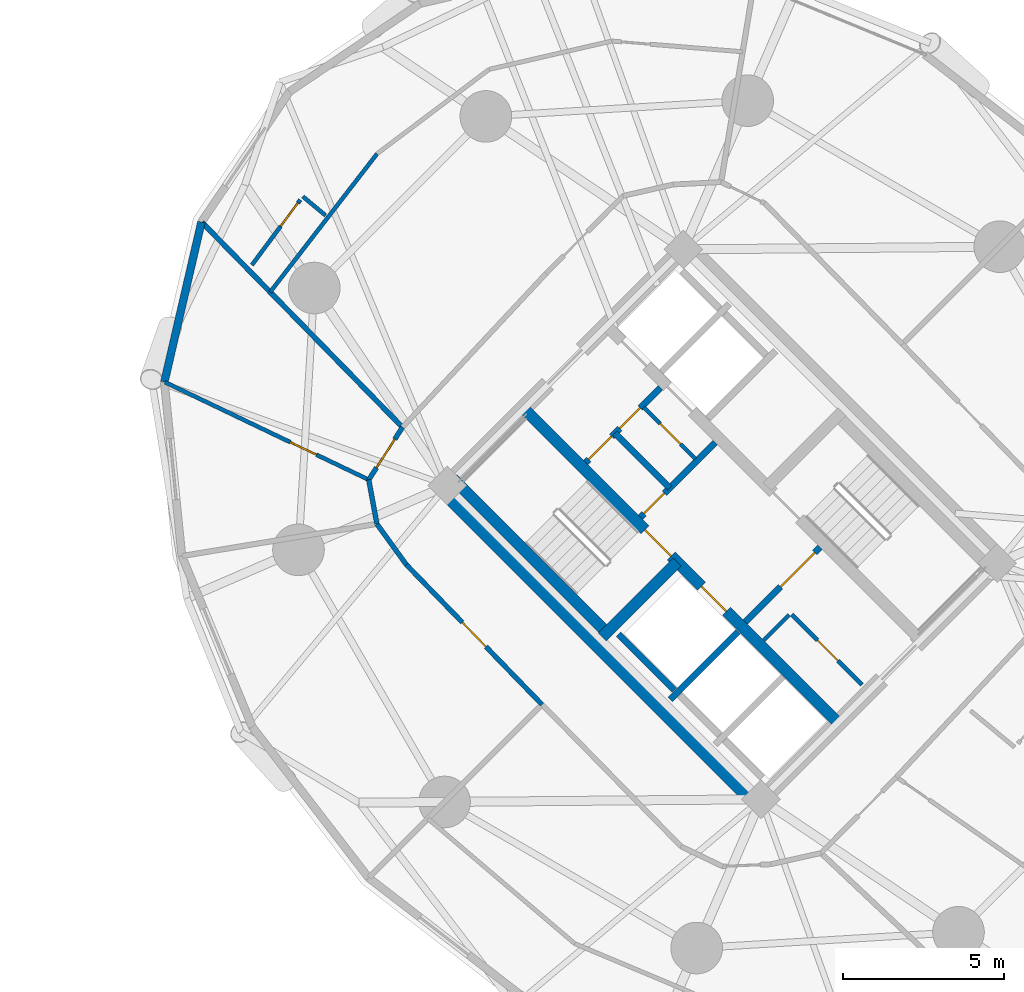
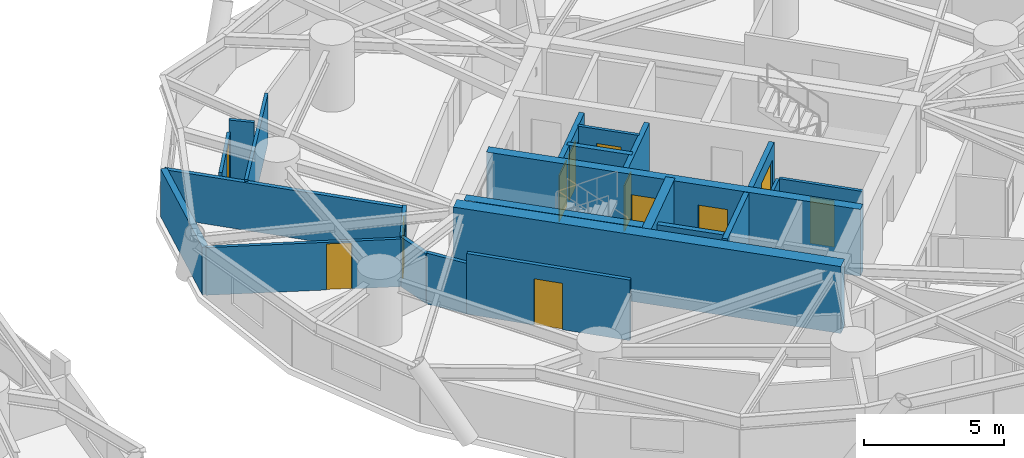
# One storey, part 13 of 18: 23 walls, 12 doors, 12 openings.
"""IFC4 building model written with IfcOpenShell, lengths in metres."""

from ifc_helpers import new_model, si_unit, direction, frame, frame_2d, origin, place, context, subcontext, project, spatial, rectangle, extrude, source, transform, mapped, material, layer, layer_set, type_object, element, fill, save


model = new_model("IFC4")

# Units and contexts
model_context = context("Model", 3, precision=1e-05, world=origin(), true_north=direction((0.0, 1.0)))
body_context = subcontext(model_context, "Body", "Model", "MODEL_VIEW")
ifc_project = project(units=[si_unit("LENGTHUNIT", "METRE"), si_unit("AREAUNIT", "SQUARE_METRE"), si_unit("VOLUMEUNIT", "CUBIC_METRE"), si_unit("PLANEANGLEUNIT", "RADIAN"), si_unit("MASSUNIT", "GRAM", prefix="KILO")], contexts=[model_context])

# Site, building, storey
site_placement = place(None, origin())
site = spatial("IfcSite", under=ifc_project, at=site_placement, CompositionType="ELEMENT")
building_placement = place(site_placement, origin())
building = spatial("IfcBuilding", under=site, at=building_placement, Name="Cununo Teusaquillo Station Towers", CompositionType="ELEMENT")
storey_placement = place(building_placement, frame((0.0, 0.0, 45.280029296875)))
storey = spatial("IfcBuildingStorey", under=building, at=storey_placement, Name="L13", CompositionType="ELEMENT", Elevation=45.280029296875)

# Walls
ifc_material_1 = material(Name="Concrete C50/60", Category="concrete")
ifc_layer_1 = layer(ifc_material_1, 0.199951171875)
ifc_layer_set_1 = layer_set([ifc_layer_1], Name="Concrete C50/60")
wall_type_1 = type_object("IfcWallType", Name="WL-CORE-200", PredefinedType="SHEAR", material=ifc_layer_set_1)
wall_1_placement = place(storey_placement, frame((55.8876953125, 19.0693359375, 0.0), z_axis=(0.0, 0.0, 1.0), x_axis=(0.707106781187, 0.707106781187, 0.0)))
element("IfcWall", 1, at=wall_1_placement, inside=storey, type_object=wall_type_1, Name="L13 Tower B Firefighting Lift Shaft South Shear Wall", PredefinedType="SHEAR", context=body_context, shape_type="SweptSolid", body=[
    extrude(rectangle(XDim=2.969970703125, YDim=0.199951171875, at=frame_2d((1.48486328125, 0.0))), origin(), (0.0, 0.0, 1.0), 2.909912109375),
])
wall_2_placement = place(storey_placement, frame((56.01513671875, 19.366455078125, 0.0), z_axis=(0.0, 0.0, 1.0), x_axis=(-0.707106781187, 0.707106781187, 0.0)))
element("IfcWall", 2, at=wall_2_placement, inside=storey, type_object=wall_type_1, Name="L13 Tower B Firefighting Lift Shaft Rear Shear Wall", PredefinedType="SHEAR", context=body_context, shape_type="SweptSolid", body=[
    extrude(rectangle(XDim=2.43994140625, YDim=0.199951171875, at=frame_2d((1.219970703125, 0.0))), origin(), (0.0, 0.0, 1.0), 2.909912109375),
])

# Wall, openings, doors
ifc_material_2 = material(Name="Concrete C50/60", Category="concrete")
ifc_layer_2 = layer(ifc_material_2, 0.35009765625)
ifc_layer_set_2 = layer_set([ifc_layer_2], Name="Concrete C50/60")
wall_type_2 = type_object("IfcWallType", Name="WL-CORE-350", PredefinedType="SHEAR", material=ifc_layer_set_2)
wall_3_placement = place(storey_placement, frame((61.095703125, 18.337646484375, 0.0), z_axis=(0.0, 0.0, 1.0), x_axis=(-0.707106781187, 0.707106781187, 0.0)))
wall_3 = element("IfcWall", 3, at=wall_3_placement, inside=storey, type_object=wall_type_2, Name="L13 Tower B Core Shear Wall IW", PredefinedType="SHEAR", context=body_context, shape_type="SweptSolid", body=[
    extrude(rectangle(XDim=13.800048828125, YDim=0.35009765625, at=frame_2d((6.89990234375, 0.0))), origin(), (0.0, 0.0, 1.0), 2.909912109375),
])
shared_shape_1 = source(origin(), body_context, "Body", "SweptSolid", [
    extrude(rectangle(XDim=1.10009765625, YDim=2.014892578125, at=frame_2d((0.550048828125, 1.00732421875))), frame((0.0, 0.18505859375, 0.0), z_axis=(0.0, -1.0, 0.0), x_axis=(1.0, 0.0, 0.0)), (0.0, 0.0, 1.0), 0.3701171875),
])
opening_1_placement = place(wall_3_placement, frame((4.89990234375, 0.0, 0.0)))
opening_1 = element("IfcOpeningElement", 4, at=opening_1_placement, cuts=wall_3, Name="Opening LD-01", PredefinedType="OPENING", context=body_context, shape_type="MappedRepresentation", body=[
    mapped(shared_shape_1, transform((0.0, 0.0, 0.0), x_axis=(1.0, 0.0, 0.0), y_axis=(0.0, 1.0, 0.0), z_axis=(0.0, 0.0, 1.0), scale=1.0)),
])
shared_shape_2 = source(origin(), body_context, "Body", "SweptSolid", [
    extrude(rectangle(XDim=1.14990234375, YDim=2.02001953125, at=frame_2d((0.574951171875, 1.010009765625))), frame((0.0, 0.18505859375, 0.0), z_axis=(0.0, -1.0, 0.0), x_axis=(1.0, 0.0, 0.0)), (0.0, 0.0, 1.0), 0.3701171875),
])
opening_2_placement = place(wall_3_placement, frame((7.320068359375, 0.0, 0.0)))
opening_2 = element("IfcOpeningElement", 5, at=opening_2_placement, cuts=wall_3, Name="Opening D-ST1", PredefinedType="OPENING", context=body_context, shape_type="MappedRepresentation", body=[
    mapped(shared_shape_2, transform((0.0, 0.0, 0.0), x_axis=(1.0, 0.0, 0.0), y_axis=(0.0, 1.0, 0.0), z_axis=(0.0, 0.0, 1.0), scale=1.0)),
])
ifc_material_3 = material(Name="Galvanised fire-rated hollow steel door assembly", Category="steel")
door_type_1 = type_object("IfcDoorType", Name="DR-LIFT-1100", OperationType="SLIDING_TO_LEFT", PredefinedType="DOOR", material=ifc_material_3)
shared_shape_3 = source(origin(), body_context, "Body", "SweptSolid", [
    extrude(rectangle(XDim=1.10009765625, YDim=2.014892578125, at=frame_2d((0.550048828125, 1.00732421875))), frame((0.0, 0.02490234375, 0.0), z_axis=(0.0, -1.0, 0.0), x_axis=(1.0, 0.0, 0.0)), (0.0, 0.0, 1.0), 0.050048828125),
])
door_1_placement = place(opening_1_placement, origin())
door_1 = element("IfcDoor", 6, at=door_1_placement, inside=storey, type_object=door_type_1, Name="L13 Lift FL-T2 Sliding Landing Door", OperationType="SLIDING_TO_LEFT", OverallHeight=2.014892578125, OverallWidth=1.10009765625, PredefinedType="DOOR", context=body_context, shape_type="MappedRepresentation", body=[
    mapped(shared_shape_3, transform((0.0, 0.0, 0.0), x_axis=(1.0, 0.0, 0.0), y_axis=(0.0, 1.0, 0.0), z_axis=(0.0, 0.0, 1.0), scale=1.0)),
])
fill(opening_1, door_1)
ifc_material_4 = material(Name="Galvanised fire-rated hollow steel door assembly", Category="steel")
door_type_2 = type_object("IfcDoorType", Name="DR-STAIR-1150", OperationType="NOTDEFINED", PredefinedType="DOOR", material=ifc_material_4)
shared_shape_4 = source(origin(), body_context, "Body", "SweptSolid", [
    extrude(rectangle(XDim=1.14990234375, YDim=2.02001953125, at=frame_2d((0.574951171875, 1.010009765625))), frame((0.0, 0.02490234375, 0.0), z_axis=(0.0, -1.0, 0.0), x_axis=(1.0, 0.0, 0.0)), (0.0, 0.0, 1.0), 0.050048828125),
])
door_2_placement = place(opening_2_placement, origin())
door_2 = element("IfcDoor", 7, at=door_2_placement, inside=storey, type_object=door_type_2, Name="L13 Tower B Exit Stair 1 Fire Door", OperationType="SINGLE_SWING_RIGHT", OverallHeight=2.02001953125, OverallWidth=1.14990234375, PredefinedType="DOOR", context=body_context, shape_type="MappedRepresentation", body=[
    mapped(shared_shape_4, transform((0.0, 0.0, 0.0), x_axis=(1.0, 0.0, 0.0), y_axis=(0.0, 1.0, 0.0), z_axis=(0.0, 0.0, 1.0), scale=1.0)),
])
fill(opening_2, door_2)

# Walls
wall_4_placement = place(storey_placement, frame((53.922119140625, 21.14111328125, 0.0), z_axis=(0.0, 0.0, 1.0), x_axis=(-0.707106781187, 0.707106781187, 0.0)))
element("IfcWall", 8, at=wall_4_placement, inside=storey, type_object=wall_type_2, Name="L13 Tower B Core Shear Wall ST1W", PredefinedType="SHEAR", context=body_context, shape_type="SweptSolid", body=[
    extrude(rectangle(XDim=6.7451171875, YDim=0.35009765625, at=frame_2d((3.37255859375, 0.0))), origin(), (0.0, 0.0, 1.0), 2.909912109375),
])
wall_5_placement = place(storey_placement, frame((53.7841796875, 21.00341796875, 0.0), z_axis=(0.0, 0.0, 1.0), x_axis=(0.707106781187, 0.707106781187, 0.0)))
element("IfcWall", 9, at=wall_5_placement, inside=storey, type_object=wall_type_2, Name="L13 Tower B Core Shear Wall ST1S", PredefinedType="SHEAR", context=body_context, shape_type="SweptSolid", body=[
    extrude(rectangle(XDim=3.284912109375, YDim=0.35009765625, at=frame_2d((1.642578125, 0.0))), origin(), (0.0, 0.0, 1.0), 2.909912109375),
])
ifc_material_5 = material(Name="Concrete C60/75", Category="concrete")
ifc_layer_3 = layer(ifc_material_5, 0.5)
ifc_layer_set_3 = layer_set([ifc_layer_3], Name="Concrete C60/75")
wall_type_3 = type_object("IfcWallType", Name="WL-CORE-500", PredefinedType="SHEAR", material=ifc_layer_set_3)
wall_6_placement = place(storey_placement, frame((58.772705078125, 15.6611328125, 0.0), z_axis=(0.0, 0.0, 1.0), x_axis=(-0.707106781187, 0.707106781187, 0.0)))
element("IfcWall", 10, at=wall_6_placement, inside=storey, type_object=wall_type_3, Name="L13 Tower B Core Shear Wall W", PredefinedType="SHEAR", context=body_context, shape_type="SweptSolid", body=[
    extrude(rectangle(XDim=14.2998046875, YDim=0.5, at=frame_2d((7.14990234375, 0.0))), origin(), (0.0, 0.0, 1.0), 2.909912109375),
])
ifc_material_6 = material(Name="Precast concrete C40/50", Category="concrete")
ifc_layer_4 = layer(ifc_material_6, 0.239990234375)
ifc_layer_set_4 = layer_set([ifc_layer_4], Name="Precast concrete C40/50")
wall_type_4 = type_object("IfcWallType", Name="WL-EXT-240", PredefinedType="SOLIDWALL", material=ifc_layer_set_4)
wall_7_placement = place(storey_placement, frame((40.2060546875, 28.91015625, 0.0), z_axis=(0.0, 0.0, 1.0), x_axis=(0.22582585901, 0.974167686491, 0.0)))
element("IfcWall", 11, at=wall_7_placement, inside=storey, type_object=wall_type_4, Name="L13 Tower B Exterior Facade Wall C06", PredefinedType="SOLIDWALL", context=body_context, shape_type="SweptSolid", body=[
    extrude(rectangle(XDim=5.092041015625, YDim=0.239990234375, at=frame_2d((2.5458984375, 0.0))), origin(), (0.0, 0.0, 1.0), 2.072998046875),
])

# Wall, opening, door
ifc_material_7 = material(Name="Fire-rated gypsum plasterboard partition assembly", Category="gypsum")
ifc_layer_5 = layer(ifc_material_7, 0.125)
ifc_layer_set_5 = layer_set([ifc_layer_5], Name="Fire-rated gypsum plasterboard partition assembly")
wall_type_5 = type_object("IfcWallType", Name="WL-PART-125", PredefinedType="PARTITIONING", material=ifc_layer_set_5)
wall_8_placement = place(storey_placement, frame((61.834716796875, 19.529052734375, 0.0), z_axis=(0.0, 0.0, 1.0), x_axis=(-0.707146413884, 0.707067146267, 0.0)))
wall_8 = element("IfcWall", 12, at=wall_8_placement, inside=storey, type_object=wall_type_5, Name="L13 Tower B South-West Tall Store East Wall", PredefinedType="PARTITIONING", context=body_context, shape_type="SweptSolid", body=[
    extrude(rectangle(XDim=3.079833984375, YDim=0.125, at=frame_2d((1.5400390625, 0.0))), origin(), (0.0, 0.0, 1.0), 2.635009765625),
])
shared_shape_5 = source(origin(), body_context, "Body", "SweptSolid", [
    extrude(rectangle(XDim=0.89990234375, YDim=2.0048828125, at=frame_2d((0.449951171875, 1.00244140625))), frame((0.0, 0.072509765625, 0.0), z_axis=(0.0, -1.0, 0.0), x_axis=(1.0, 0.0, 0.0)), (0.0, 0.0, 1.0), 0.14501953125),
])
opening_3_placement = place(wall_8_placement, frame((1.050048828125, 0.0, 0.0)))
opening_3 = element("IfcOpeningElement", 13, at=opening_3_placement, cuts=wall_8, Name="Opening D-SR1", PredefinedType="OPENING", context=body_context, shape_type="MappedRepresentation", body=[
    mapped(shared_shape_5, transform((0.0, 0.0, 0.0), x_axis=(1.0, 0.0, 0.0), y_axis=(0.0, 1.0, 0.0), z_axis=(0.0, 0.0, 1.0), scale=1.0)),
])
ifc_material_8 = material(Name="Galvanised fire-rated hollow steel door assembly", Category="steel")
door_type_3 = type_object("IfcDoorType", Name="DR-STORE-900", OperationType="NOTDEFINED", PredefinedType="DOOR", material=ifc_material_8)
shared_shape_6 = source(origin(), body_context, "Body", "SweptSolid", [
    extrude(rectangle(XDim=0.89990234375, YDim=2.0048828125, at=frame_2d((0.449951171875, 1.00244140625))), frame((0.0, 0.02490234375, 0.0), z_axis=(0.0, -1.0, 0.0), x_axis=(1.0, 0.0, 0.0)), (0.0, 0.0, 1.0), 0.050048828125),
])
door_3_placement = place(opening_3_placement, origin())
door_3 = element("IfcDoor", 14, at=door_3_placement, inside=storey, type_object=door_type_3, Name="L13 Tower B South Cleaners Store Door", OperationType="SINGLE_SWING_RIGHT", OverallHeight=2.0048828125, OverallWidth=0.89990234375, PredefinedType="DOOR", context=body_context, shape_type="MappedRepresentation", body=[
    mapped(shared_shape_6, transform((0.0, 0.0, 0.0), x_axis=(1.0, 0.0, 0.0), y_axis=(0.0, 1.0, 0.0), z_axis=(0.0, 0.0, 1.0), scale=1.0)),
])
fill(opening_3, door_3)

# Wall
wall_9_placement = place(storey_placement, frame((58.7939453125, 20.9150390625, 0.0), z_axis=(0.0, 0.0, 1.0), x_axis=(0.707106781187, 0.707106781187, 0.0)))
element("IfcWall", 15, at=wall_9_placement, inside=storey, type_object=wall_type_5, Name="L13 Tower B South-West Tall Store North Wall", PredefinedType="PARTITIONING", context=body_context, shape_type="SweptSolid", body=[
    extrude(rectangle(XDim=1.10009765625, YDim=0.125, at=frame_2d((0.550048828125, 0.0))), origin(), (0.0, 0.0, 1.0), 2.635009765625),
])

# Wall, opening, door
wall_10_placement = place(storey_placement, frame((56.672607421875, 26.529296875, 0.0), z_axis=(0.0, 0.0, 1.0), x_axis=(-0.707052764397, 0.70716079385, 0.0)))
wall_10 = element("IfcWall", 16, at=wall_10_placement, inside=storey, type_object=wall_type_5, Name="L13 Tower B Core Vertical Split Wall", PredefinedType="PARTITIONING", context=body_context, shape_type="SweptSolid", body=[
    extrude(rectangle(XDim=2.260009765625, YDim=0.125, at=frame_2d((1.1298828125, 0.0))), origin(), (0.0, 0.0, 1.0), 2.635009765625),
])
opening_4_placement = place(wall_10_placement, frame((0.64990234375, 0.0, 0.0)))
opening_4 = element("IfcOpeningElement", 17, at=opening_4_placement, cuts=wall_10, Name="Opening D-SR1", PredefinedType="OPENING", context=body_context, shape_type="MappedRepresentation", body=[
    mapped(shared_shape_5, transform((0.0, 0.0, 0.0), x_axis=(1.0, 0.0, 0.0), y_axis=(0.0, 1.0, 0.0), z_axis=(0.0, 0.0, 1.0), scale=1.0)),
])
door_4_placement = place(opening_4_placement, origin())
door_4 = element("IfcDoor", 18, at=door_4_placement, inside=storey, type_object=door_type_3, Name="L13 Tower B Core Electrical Room Door", OperationType="SINGLE_SWING_RIGHT", OverallHeight=2.0048828125, OverallWidth=0.89990234375, PredefinedType="DOOR", context=body_context, shape_type="MappedRepresentation", body=[
    mapped(shared_shape_6, transform((0.0, 0.0, 0.0), x_axis=(1.0, 0.0, 0.0), y_axis=(0.0, 1.0, 0.0), z_axis=(0.0, 0.0, 1.0), scale=1.0)),
])
fill(opening_4, door_4)

# Walls
wall_11_placement = place(storey_placement, frame((46.801025390625, 35.989013671875, 0.0), z_axis=(0.0, 0.0, 1.0), x_axis=(-0.611635984749, -0.791139319058, 0.0)))
element("IfcWall", 19, at=wall_11_placement, inside=storey, type_object=wall_type_5, Name="L13 Tower B Royal Corner Hotel Suite Concentric Partition Wall C05", PredefinedType="PARTITIONING", context=body_context, shape_type="SweptSolid", body=[
    extrude(rectangle(XDim=5.418701171875, YDim=0.125, at=frame_2d((2.70947265625, 0.0))), origin(), (0.0, 0.0, 1.0), 2.158935546875),
])
wall_12_placement = place(storey_placement, frame((45.20361328125, 34.077880859375, 0.0), z_axis=(0.0, 0.0, 1.0), x_axis=(-0.768330339969, 0.640053504547, 0.0)))
element("IfcWall", 20, at=wall_12_placement, inside=storey, type_object=wall_type_5, Name="L13 Tower B S01 En-suite Side Wall", PredefinedType="PARTITIONING", context=body_context, shape_type="SweptSolid", body=[
    extrude(rectangle(XDim=0.917236328125, YDim=0.125, at=frame_2d((0.45849609375, 0.0))), origin(), (0.0, 0.0, 1.0), 2.635009765625),
])

# Wall, opening, door
wall_13_placement = place(storey_placement, frame((44.420654296875, 34.559814453125, 0.0), z_axis=(0.0, 0.0, 1.0), x_axis=(-0.596454407051, -0.802646958699, 0.0)))
wall_13 = element("IfcWall", 21, at=wall_13_placement, inside=storey, type_object=wall_type_5, Name="L13 Tower B S01 En-suite Back Wall", PredefinedType="PARTITIONING", context=body_context, shape_type="SweptSolid", body=[
    extrude(rectangle(XDim=2.51611328125, YDim=0.125, at=frame_2d((1.258056640625, 0.0))), origin(), (0.0, 0.0, 1.0), 2.158935546875),
])
opening_5_placement = place(wall_13_placement, frame((0.1201171875, 0.0, 0.0)))
opening_5 = element("IfcOpeningElement", 22, at=opening_5_placement, cuts=wall_13, Name="Opening D-IN1", PredefinedType="OPENING", context=body_context, shape_type="MappedRepresentation", body=[
    mapped(shared_shape_5, transform((0.0, 0.0, 0.0), x_axis=(1.0, 0.0, 0.0), y_axis=(0.0, 1.0, 0.0), z_axis=(0.0, 0.0, 1.0), scale=1.0)),
])
ifc_material_9 = material(Name="Acoustic solid-core hardwood leaf assembly", Category="wood")
door_type_4 = type_object("IfcDoorType", Name="DR-INT-900", OperationType="NOTDEFINED", PredefinedType="DOOR", material=ifc_material_9)
door_5_placement = place(opening_5_placement, origin())
door_5 = element("IfcDoor", 23, at=door_5_placement, inside=storey, type_object=door_type_4, Name="L13 Tower B S01 En-suite Bathroom Door", OperationType="SINGLE_SWING_LEFT", OverallHeight=2.0048828125, OverallWidth=0.89990234375, PredefinedType="DOOR", context=body_context, shape_type="MappedRepresentation", body=[
    mapped(shared_shape_6, transform((0.0, 0.0, 0.0), x_axis=(1.0, 0.0, 0.0), y_axis=(0.0, 1.0, 0.0), z_axis=(0.0, 0.0, 1.0), scale=1.0)),
])
fill(opening_5, door_5)

wall_14_placement = place(storey_placement, frame((46.543212890625, 25.882080078125, 0.0), z_axis=(0.0, 0.0, 1.0), x_axis=(-0.901937110034, 0.431867398103, 0.0)))
wall_14 = element("IfcWall", 24, at=wall_14_placement, inside=storey, type_object=wall_type_5, Name="L13 Tower B Hotel Boardroom Salon Suite Subdividing Wall", PredefinedType="PARTITIONING", context=body_context, shape_type="SweptSolid", body=[
    extrude(rectangle(XDim=7.004150390625, YDim=0.125, at=frame_2d((3.501953125, 0.0))), origin(), (0.0, 0.0, 1.0), 2.072998046875),
])
opening_6_placement = place(wall_14_placement, frame((1.800048828125, 0.0, 0.0)))
opening_6 = element("IfcOpeningElement", 25, at=opening_6_placement, cuts=wall_14, Name="Opening D-IN1", PredefinedType="OPENING", context=body_context, shape_type="MappedRepresentation", body=[
    mapped(shared_shape_5, transform((0.0, 0.0, 0.0), x_axis=(1.0, 0.0, 0.0), y_axis=(0.0, 1.0, 0.0), z_axis=(0.0, 0.0, 1.0), scale=1.0)),
])
door_6_placement = place(opening_6_placement, origin())
door_6 = element("IfcDoor", 26, at=door_6_placement, inside=storey, type_object=door_type_4, Name="L13 Tower B Hotel Boardroom Salon Suite Connecting Door", OperationType="SINGLE_SWING_LEFT", OverallHeight=2.0048828125, OverallWidth=0.89990234375, PredefinedType="DOOR", context=body_context, shape_type="MappedRepresentation", body=[
    mapped(shared_shape_6, transform((0.0, 0.0, 0.0), x_axis=(1.0, 0.0, 0.0), y_axis=(0.0, 1.0, 0.0), z_axis=(0.0, 0.0, 1.0), scale=1.0)),
])
fill(opening_6, door_6)

ifc_material_10 = material(Name="Fire-rated gypsum plasterboard partition assembly", Category="gypsum")
ifc_layer_6 = layer(ifc_material_10, 0.14990234375)
ifc_layer_set_6 = layer_set([ifc_layer_6], Name="Fire-rated gypsum plasterboard partition assembly")
wall_type_6 = type_object("IfcWallType", Name="WL-PART-150", PredefinedType="PARTITIONING", material=ifc_layer_set_6)
wall_15_placement = place(storey_placement, frame((47.58837890625, 27.51025390625, 0.0), z_axis=(0.0, 0.0, 1.0), x_axis=(-0.540202619347, -0.841534984449, 0.0)))
wall_15 = element("IfcWall", 27, at=wall_15_placement, inside=storey, type_object=wall_type_6, Name="L13 Tower B Corridor Ring Wall C06", PredefinedType="PARTITIONING", context=body_context, shape_type="SweptSolid", body=[
    extrude(rectangle(XDim=1.934814453125, YDim=0.14990234375, at=frame_2d((0.96728515625, 0.0))), origin(), (0.0, 0.0, 1.0), 2.158935546875),
])
shared_shape_7 = source(origin(), body_context, "Body", "SweptSolid", [
    extrude(rectangle(XDim=1.050048828125, YDim=2.014892578125, at=frame_2d((0.52490234375, 1.00732421875))), frame((0.0, 0.0849609375, 0.0), z_axis=(0.0, -1.0, 0.0), x_axis=(1.0, 0.0, 0.0)), (0.0, 0.0, 1.0), 0.169921875),
])
opening_7_placement = place(wall_15_placement, frame((0.4423828125, 0.0, 0.0)))
opening_7 = element("IfcOpeningElement", 28, at=opening_7_placement, cuts=wall_15, Name="Opening D-SU1", PredefinedType="OPENING", context=body_context, shape_type="MappedRepresentation", body=[
    mapped(shared_shape_7, transform((0.0, 0.0, 0.0), x_axis=(1.0, 0.0, 0.0), y_axis=(0.0, 1.0, 0.0), z_axis=(0.0, 0.0, 1.0), scale=1.0)),
])
ifc_material_11 = material(Name="Acoustic solid-core hardwood leaf assembly", Category="wood")
door_type_5 = type_object("IfcDoorType", Name="DR-SUITE-1050", OperationType="NOTDEFINED", PredefinedType="DOOR", material=ifc_material_11)
shared_shape_8 = source(origin(), body_context, "Body", "SweptSolid", [
    extrude(rectangle(XDim=1.050048828125, YDim=2.014892578125, at=frame_2d((0.52490234375, 1.00732421875))), frame((0.0, 0.02490234375, 0.0), z_axis=(0.0, -1.0, 0.0), x_axis=(1.0, 0.0, 0.0)), (0.0, 0.0, 1.0), 0.050048828125),
])
door_7_placement = place(opening_7_placement, origin())
door_7 = element("IfcDoor", 29, at=door_7_placement, inside=storey, type_object=door_type_5, Name="L13 Tower B Hotel Boardroom Salon Entrance Door", OperationType="SINGLE_SWING_RIGHT", OverallHeight=2.014892578125, OverallWidth=1.050048828125, PredefinedType="DOOR", context=body_context, shape_type="MappedRepresentation", body=[
    mapped(shared_shape_8, transform((0.0, 0.0, 0.0), x_axis=(1.0, 0.0, 0.0), y_axis=(0.0, 1.0, 0.0), z_axis=(0.0, 0.0, 1.0), scale=1.0)),
])
fill(opening_7, door_7)

# Walls
wall_16_placement = place(storey_placement, frame((46.543212890625, 25.882080078125, 0.0), z_axis=(0.0, 0.0, 1.0), x_axis=(0.181153502579, -0.983454832976, 0.0)))
element("IfcWall", 30, at=wall_16_placement, inside=storey, type_object=wall_type_6, Name="L13 Tower B Corridor Ring Wall C07", PredefinedType="PARTITIONING", context=body_context, shape_type="SweptSolid", body=[
    extrude(rectangle(XDim=1.39208984375, YDim=0.14990234375, at=frame_2d((0.696044921875, 0.0))), origin(), (0.0, 0.0, 1.0), 2.158935546875),
])
wall_17_placement = place(storey_placement, frame((46.79541015625, 24.512939453125, 0.0), z_axis=(0.0, 0.0, 1.0), x_axis=(0.585628197524, -0.810579801294, 0.0)))
element("IfcWall", 31, at=wall_17_placement, inside=storey, type_object=wall_type_6, Name="L13 Tower B Corridor Ring Wall C08", PredefinedType="PARTITIONING", context=body_context, shape_type="SweptSolid", body=[
    extrude(rectangle(XDim=1.55419921875, YDim=0.14990234375, at=frame_2d((0.777099609375, 0.0))), origin(), (0.0, 0.0, 1.0), 2.205078125),
])

# Wall, opening, door
wall_18_placement = place(storey_placement, frame((47.70556640625, 23.253173828125, 0.0), z_axis=(0.0, 0.0, 1.0), x_axis=(0.696179266346, -0.717867974707, 0.0)))
wall_18 = element("IfcWall", 32, at=wall_18_placement, inside=storey, type_object=wall_type_6, Name="L13 Tower B Corridor Ring Wall C09", PredefinedType="PARTITIONING", context=body_context, shape_type="SweptSolid", body=[
    extrude(rectangle(XDim=6.044677734375, YDim=0.14990234375, at=frame_2d((3.0224609375, 0.0))), origin(), (0.0, 0.0, 1.0), 2.635009765625),
])
opening_8_placement = place(wall_18_placement, frame((2.497314453125, 0.0, 0.0)))
opening_8 = element("IfcOpeningElement", 33, at=opening_8_placement, cuts=wall_18, Name="Opening D-SU1", PredefinedType="OPENING", context=body_context, shape_type="MappedRepresentation", body=[
    mapped(shared_shape_7, transform((0.0, 0.0, 0.0), x_axis=(1.0, 0.0, 0.0), y_axis=(0.0, 1.0, 0.0), z_axis=(0.0, 0.0, 1.0), scale=1.0)),
])
door_8_placement = place(opening_8_placement, origin())
door_8 = element("IfcDoor", 34, at=door_8_placement, inside=storey, type_object=door_type_5, Name="L13 Tower B Hotel Hydrotherapy Wellness Spa Entrance Door", OperationType="SINGLE_SWING_RIGHT", OverallHeight=2.014892578125, OverallWidth=1.050048828125, PredefinedType="DOOR", context=body_context, shape_type="MappedRepresentation", body=[
    mapped(shared_shape_8, transform((0.0, 0.0, 0.0), x_axis=(1.0, 0.0, 0.0), y_axis=(0.0, 1.0, 0.0), z_axis=(0.0, 0.0, 1.0), scale=1.0)),
])
fill(opening_8, door_8)

# Wall
ifc_material_12 = material(Name="Fire-rated gypsum plasterboard partition assembly", Category="gypsum")
ifc_layer_7 = layer(ifc_material_12, 0.159912109375)
ifc_layer_set_7 = layer_set([ifc_layer_7], Name="Fire-rated gypsum plasterboard partition assembly")
wall_type_7 = type_object("IfcWallType", Name="WL-PART-160", PredefinedType="PARTITIONING", material=ifc_layer_set_7)
wall_19_placement = place(storey_placement, frame((47.58837890625, 27.51025390625, 0.0), z_axis=(0.0, 0.0, 1.0), x_axis=(-0.699371977892, 0.714757886657, 0.0)))
element("IfcWall", 35, at=wall_19_placement, inside=storey, type_object=wall_type_7, Name="L13 Tower B Radial Suite Partition R03", PredefinedType="PARTITIONING", context=body_context, shape_type="SweptSolid", body=[
    extrude(rectangle(XDim=8.885986328125, YDim=0.159912109375, at=frame_2d((4.44287109375, 0.0))), origin(), (0.0, 0.0, 1.0), 2.072998046875),
])

# Wall, opening, door
ifc_material_13 = material(Name="Fire-rated gypsum plasterboard partition assembly", Category="gypsum")
ifc_layer_8 = layer(ifc_material_13, 0.199951171875)
ifc_layer_set_8 = layer_set([ifc_layer_8], Name="Fire-rated gypsum plasterboard partition assembly")
wall_type_8 = type_object("IfcWallType", Name="WL-PART-200", PredefinedType="PARTITIONING", material=ifc_layer_set_8)
wall_20_placement = place(storey_placement, frame((58.214111328125, 21.466552734375, 0.0), z_axis=(0.0, 0.0, 1.0), x_axis=(0.707106781187, 0.707106781187, 0.0)))
wall_20 = element("IfcWall", 36, at=wall_20_placement, inside=storey, type_object=wall_type_8, Name="L13 Tower B Firefighting Lift Lobby South Fire Wall", PredefinedType="PARTITIONING", context=body_context, shape_type="SweptSolid", body=[
    extrude(rectangle(XDim=3.280029296875, YDim=0.199951171875, at=frame_2d((1.64013671875, 0.0))), origin(), (0.0, 0.0, 1.0), 2.635009765625),
])
shared_shape_9 = source(origin(), body_context, "Body", "SweptSolid", [
    extrude(rectangle(XDim=1.5, YDim=2.02001953125, at=frame_2d((0.75, 1.010009765625))), frame((0.0, 0.10986328125, 0.0), z_axis=(0.0, -1.0, 0.0), x_axis=(1.0, 0.0, 0.0)), (0.0, 0.0, 1.0), 0.219970703125),
])
opening_9_placement = place(wall_20_placement, frame((1.550048828125, 0.0, 0.0)))
opening_9 = element("IfcOpeningElement", 37, at=opening_9_placement, cuts=wall_20, Name="Opening D-LB1", PredefinedType="OPENING", context=body_context, shape_type="MappedRepresentation", body=[
    mapped(shared_shape_9, transform((0.0, 0.0, 0.0), x_axis=(1.0, 0.0, 0.0), y_axis=(0.0, 1.0, 0.0), z_axis=(0.0, 0.0, 1.0), scale=1.0)),
])
ifc_material_14 = material(Name="Galvanised fire-rated hollow steel door assembly", Category="steel")
door_type_6 = type_object("IfcDoorType", Name="DR-LOBBY-1500", OperationType="DOUBLE_DOOR_SINGLE_SWING", PredefinedType="DOOR", material=ifc_material_14)
shared_shape_10 = source(origin(), body_context, "Body", "SweptSolid", [
    extrude(rectangle(XDim=1.5, YDim=2.02001953125, at=frame_2d((0.75, 1.010009765625))), frame((0.0, 0.02490234375, 0.0), z_axis=(0.0, -1.0, 0.0), x_axis=(1.0, 0.0, 0.0)), (0.0, 0.0, 1.0), 0.050048828125),
])
door_9_placement = place(opening_9_placement, origin())
door_9 = element("IfcDoor", 38, at=door_9_placement, inside=storey, type_object=door_type_6, Name="L13 Tower B Firefighting Lift Lobby South Fire Door", OperationType="DOUBLE_DOOR_SINGLE_SWING", OverallHeight=2.02001953125, OverallWidth=1.5, PredefinedType="DOOR", context=body_context, shape_type="MappedRepresentation", body=[
    mapped(shared_shape_10, transform((0.0, 0.0, 0.0), x_axis=(1.0, 0.0, 0.0), y_axis=(0.0, 1.0, 0.0), z_axis=(0.0, 0.0, 1.0), scale=1.0)),
])
fill(opening_9, door_9)

wall_21_placement = place(storey_placement, frame((54.96142578125, 24.71923828125, 0.0), z_axis=(0.0, 0.0, 1.0), x_axis=(0.707106781187, 0.707106781187, 0.0)))
wall_21 = element("IfcWall", 39, at=wall_21_placement, inside=storey, type_object=wall_type_8, Name="L13 Tower B Firefighting Lift Lobby North Fire Wall", PredefinedType="PARTITIONING", context=body_context, shape_type="SweptSolid", body=[
    extrude(rectangle(XDim=3.280029296875, YDim=0.199951171875, at=frame_2d((1.64013671875, 0.0))), origin(), (0.0, 0.0, 1.0), 2.635009765625),
])
shared_shape_11 = source(origin(), body_context, "Body", "SweptSolid", [
    extrude(rectangle(XDim=0.89990234375, YDim=2.0048828125, at=frame_2d((0.449951171875, 1.00244140625))), frame((0.0, 0.10986328125, 0.0), z_axis=(0.0, -1.0, 0.0), x_axis=(1.0, 0.0, 0.0)), (0.0, 0.0, 1.0), 0.219970703125),
])
opening_10_placement = place(wall_21_placement, frame((0.159912109375, 0.0, 0.0)))
opening_10 = element("IfcOpeningElement", 40, at=opening_10_placement, cuts=wall_21, Name="Opening D-SR1", PredefinedType="OPENING", context=body_context, shape_type="MappedRepresentation", body=[
    mapped(shared_shape_11, transform((0.0, 0.0, 0.0), x_axis=(1.0, 0.0, 0.0), y_axis=(0.0, 1.0, 0.0), z_axis=(0.0, 0.0, 1.0), scale=1.0)),
])
door_10_placement = place(opening_10_placement, origin())
door_10 = element("IfcDoor", 41, at=door_10_placement, inside=storey, type_object=door_type_3, Name="L13 Tower B Stair 1 Protected Vestibule South Door", OperationType="SINGLE_SWING_RIGHT", OverallHeight=2.0048828125, OverallWidth=0.89990234375, PredefinedType="DOOR", context=body_context, shape_type="MappedRepresentation", body=[
    mapped(shared_shape_6, transform((0.0, 0.0, 0.0), x_axis=(1.0, 0.0, 0.0), y_axis=(0.0, 1.0, 0.0), z_axis=(0.0, 0.0, 1.0), scale=1.0)),
])
fill(opening_10, door_10)

# Wall
wall_22_placement = place(storey_placement, frame((55.873779296875, 25.63134765625, 0.0), z_axis=(0.0, 0.0, 1.0), x_axis=(-0.707157639372, 0.707055919343, 0.0)))
element("IfcWall", 42, at=wall_22_placement, inside=storey, type_object=wall_type_8, Name="L13 Tower B Stair 1 Vestibule Partition Wall", PredefinedType="PARTITIONING", context=body_context, shape_type="SweptSolid", body=[
    extrude(rectangle(XDim=2.400146484375, YDim=0.199951171875, at=frame_2d((1.2001953125, 0.0))), origin(), (0.0, 0.0, 1.0), 2.635009765625),
])

# Wall, openings, doors
wall_23_placement = place(storey_placement, frame((53.264404296875, 26.416259765625, 0.0), z_axis=(0.0, 0.0, 1.0), x_axis=(0.707106781187, 0.707106781187, 0.0)))
wall_23 = element("IfcWall", 43, at=wall_23_placement, inside=storey, type_object=wall_type_8, Name="L13 Tower B North Lift Lobby South Fire Wall", PredefinedType="PARTITIONING", context=body_context, shape_type="SweptSolid", body=[
    extrude(rectangle(XDim=3.280029296875, YDim=0.199951171875, at=frame_2d((1.64013671875, 0.0))), origin(), (0.0, 0.0, 1.0), 2.635009765625),
])
shared_shape_12 = source(origin(), body_context, "Body", "SweptSolid", [
    extrude(rectangle(XDim=1.0, YDim=2.014892578125, at=frame_2d((0.5, 1.00732421875))), frame((0.0, 0.10986328125, 0.0), z_axis=(0.0, -1.0, 0.0), x_axis=(1.0, 0.0, 0.0)), (0.0, 0.0, 1.0), 0.219970703125),
])
opening_11_placement = place(wall_23_placement, frame((0.139892578125, 0.0, 0.0)))
opening_11 = element("IfcOpeningElement", 44, at=opening_11_placement, cuts=wall_23, Name="Opening D-AC1", PredefinedType="OPENING", context=body_context, shape_type="MappedRepresentation", body=[
    mapped(shared_shape_12, transform((0.0, 0.0, 0.0), x_axis=(1.0, 0.0, 0.0), y_axis=(0.0, 1.0, 0.0), z_axis=(0.0, 0.0, 1.0), scale=1.0)),
])
opening_12_placement = place(wall_23_placement, frame((1.5, 0.0, 0.0)))
opening_12 = element("IfcOpeningElement", 45, at=opening_12_placement, cuts=wall_23, Name="Opening D-SR1", PredefinedType="OPENING", context=body_context, shape_type="MappedRepresentation", body=[
    mapped(shared_shape_11, transform((0.0, 0.0, 0.0), x_axis=(1.0, 0.0, 0.0), y_axis=(0.0, 1.0, 0.0), z_axis=(0.0, 0.0, 1.0), scale=1.0)),
])
door_11_placement = place(opening_12_placement, origin())
door_11 = element("IfcDoor", 46, at=door_11_placement, inside=storey, type_object=door_type_3, Name="L13 Tower B Core Housekeeping Store Door", OperationType="SINGLE_SWING_LEFT", OverallHeight=2.0048828125, OverallWidth=0.89990234375, PredefinedType="DOOR", context=body_context, shape_type="MappedRepresentation", body=[
    mapped(shared_shape_6, transform((0.0, 0.0, 0.0), x_axis=(1.0, 0.0, 0.0), y_axis=(0.0, 1.0, 0.0), z_axis=(0.0, 0.0, 1.0), scale=1.0)),
])
fill(opening_12, door_11)
ifc_material_15 = material(Name="Acoustic solid-core hardwood leaf assembly", Category="wood")
door_type_7 = type_object("IfcDoorType", Name="DR-ACC-1000", OperationType="NOTDEFINED", PredefinedType="DOOR", material=ifc_material_15)
shared_shape_13 = source(origin(), body_context, "Body", "SweptSolid", [
    extrude(rectangle(XDim=1.0, YDim=2.014892578125, at=frame_2d((0.5, 1.00732421875))), frame((0.0, 0.02490234375, 0.0), z_axis=(0.0, -1.0, 0.0), x_axis=(1.0, 0.0, 0.0)), (0.0, 0.0, 1.0), 0.050048828125),
])
door_12_placement = place(opening_11_placement, origin())
door_12 = element("IfcDoor", 47, at=door_12_placement, inside=storey, type_object=door_type_7, Name="L13 Tower B North Lift Lobby to Stair 1 Vestibule Door", OperationType="SINGLE_SWING_LEFT", OverallHeight=2.014892578125, OverallWidth=1.0, PredefinedType="DOOR", context=body_context, shape_type="MappedRepresentation", body=[
    mapped(shared_shape_13, transform((0.0, 0.0, 0.0), x_axis=(1.0, 0.0, 0.0), y_axis=(0.0, 1.0, 0.0), z_axis=(0.0, 0.0, 1.0), scale=1.0)),
])
fill(opening_11, door_12)

save(model, "model.ifc")
